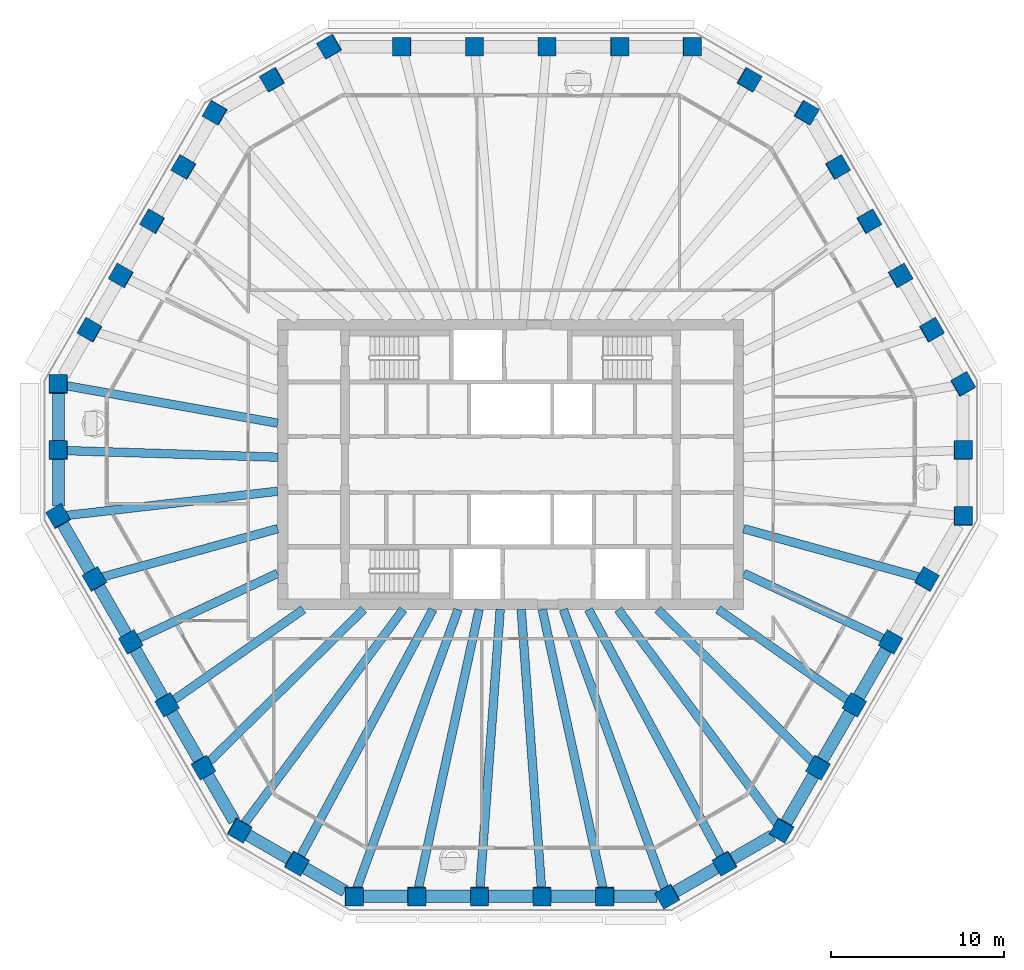
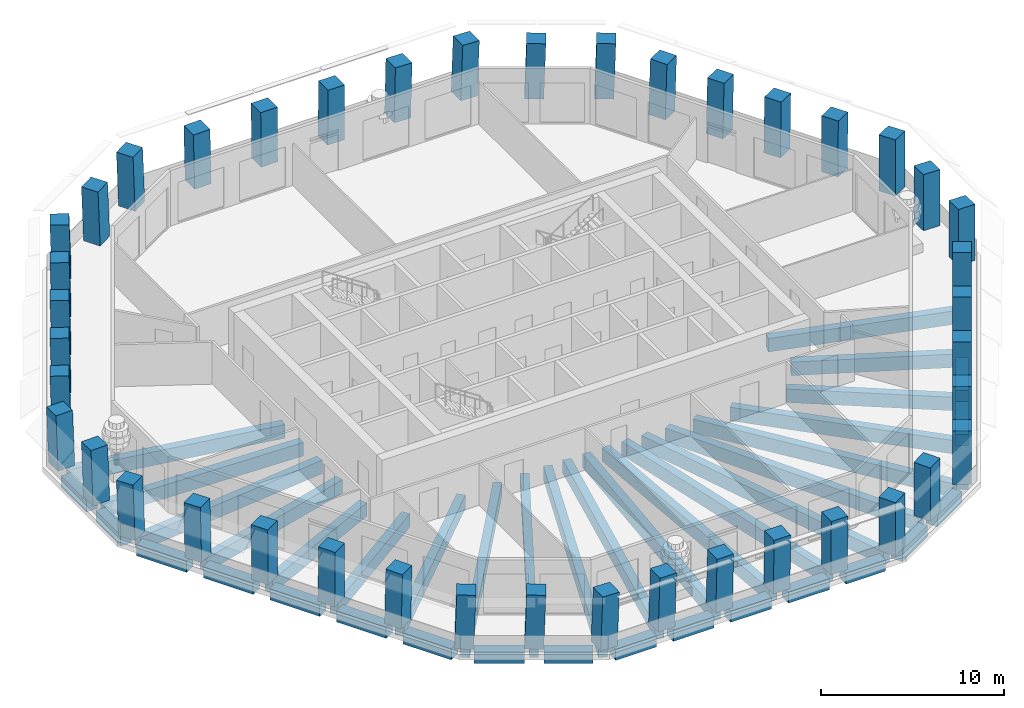
# One storey, part 1 of 12: 42 columns, 40 beams.
"""IFC4 building model written with IfcOpenShell, lengths in metres."""

from ifc_helpers import new_model, si_unit, direction, frame, origin, origin_2d, place, context, subcontext, project, spatial, rectangle, extrude, material, material_profile, profile_set, type_object, element, save


model = new_model("IFC4")

# Units and contexts
model_context = context("Model", 3, precision=1e-05, world=origin(), true_north=direction((0.0, 1.0)))
body_context = subcontext(model_context, "Body", "Model", "MODEL_VIEW")
ifc_project = project(units=[si_unit("LENGTHUNIT", "METRE"), si_unit("AREAUNIT", "SQUARE_METRE"), si_unit("VOLUMEUNIT", "CUBIC_METRE"), si_unit("PLANEANGLEUNIT", "RADIAN"), si_unit("MASSUNIT", "GRAM", prefix="KILO")], contexts=[model_context])

# Site, building, storey
site_placement = place(None, origin())
site = spatial("IfcSite", under=ifc_project, at=site_placement, CompositionType="ELEMENT")
building_placement = place(site_placement, origin())
building = spatial("IfcBuilding", under=site, at=building_placement, Name="Frailejon Research Tower", CompositionType="ELEMENT")
storey_placement = place(building_placement, frame((0.0, 0.0, 237.39990234375)))
storey = spatial("IfcBuildingStorey", under=building, at=storey_placement, Name="L51", CompositionType="ELEMENT", Elevation=237.39990234375)

# Columns
ifc_material_1 = material(Name="Concrete C60/75", Category="concrete")
ifc_material_profile_1 = material_profile(ifc_material_1, rectangle(XDim=1.050048828125, YDim=1.050048828125, at=origin_2d()), Name="Column 1050")
ifc_profile_set_1 = profile_set([ifc_material_profile_1], Name="Concrete C60/75")
column_type = type_object("IfcColumnType", Name="Column 1050", PredefinedType="COLUMN", material=ifc_profile_set_1)
for number, where, z_axis, x_axis, name in (
    (1, (26.2060546875, -3.009521484375, 0.0), (0.018113993821, 0.031348572332, 0.999344360189), (-0.000374711626, 0.999508494025, -0.031346929091), "Column C01"),
    (2, (26.2060546875, 0.817138671875, 0.0), (0.018113955825, 0.03141534774, 0.999342263957), (-0.001297337727, 0.999506151202, -0.031396984318), "Column C02"),
    (3, (26.2060546875, 4.643798828125, 0.0), (0.018113955825, 0.03141534774, 0.999342263957), (-0.501041071009, 0.865233837763, -0.018117702729), "Column C03"),
):
    element("IfcColumn", number, at=place(storey_placement, frame(where, z_axis=z_axis, x_axis=x_axis)), inside=storey, type_object=column_type, Name=name, PredefinedType="COLUMN", context=body_context, shape_type="SweptSolid", body=[
        extrude(rectangle(XDim=1.050048828125, YDim=1.050048828125, at=origin_2d()), origin(), (0.0, 0.0, 1.0), 3.652587890625),
    ])
column_1_placement = place(storey_placement, frame((24.389892578125, 7.789794921875, 0.0), z_axis=(0.021725676399, 0.025134936388, 0.999447962606), x_axis=(-0.500488924466, 0.86567442941, -0.010891223664)))
element("IfcColumn", 4, at=column_1_placement, inside=storey, type_object=column_type, Name="Column C04", PredefinedType="COLUMN", context=body_context, shape_type="SweptSolid", body=[
    extrude(rectangle(XDim=1.050048828125, YDim=1.050048828125, at=origin_2d()), origin(), (0.0, 0.0, 1.0), 3.652099609375),
])
for number, where, z_axis, x_axis, name in (
    (5, (22.573486328125, 10.935546875, 0.0), (0.025403639223, 0.018852174371, 0.999499500068), (-0.500083888167, 0.865969385556, -0.003623268626), "Column C05"),
    (6, (20.75732421875, 14.08154296875, 0.0), (0.029013644583, 0.012568122538, 0.999500000362), (-0.499848973822, 0.866105020579, 0.003618935909), "Column C06"),
):
    element("IfcColumn", number, at=place(storey_placement, frame(where, z_axis=z_axis, x_axis=x_axis)), inside=storey, type_object=column_type, Name=name, PredefinedType="COLUMN", context=body_context, shape_type="SweptSolid", body=[
        extrude(rectangle(XDim=1.050048828125, YDim=1.050048828125, at=origin_2d()), origin(), (0.0, 0.0, 1.0), 3.65185546875),
    ])
column_2_placement = place(storey_placement, frame((18.94091796875, 17.227294921875, 0.0), z_axis=(0.032688717128, 0.006283720675, 0.99944582776), x_axis=(-0.499706662091, 0.866126133194, 0.010898314577)))
element("IfcColumn", 7, at=column_2_placement, inside=storey, type_object=column_type, Name="Column C07", PredefinedType="COLUMN", context=body_context, shape_type="SweptSolid", body=[
    extrude(rectangle(XDim=1.050048828125, YDim=1.050048828125, at=origin_2d()), origin(), (0.0, 0.0, 1.0), 3.652099609375),
])
for number, where, z_axis, x_axis, name in (
    (8, (17.124755859375, 20.373291015625, 0.0), (0.036227958345, 0.0, 0.999343552055), (-0.865314717209, 0.500246354177, 0.031369177763), "Column C08"),
    (9, (13.810791015625, 22.28662109375, 0.0), (0.036227958345, 0.0, 0.999343552055), (-0.865314717209, 0.500246354177, 0.031369177763), "Column C09"),
    (10, (10.49658203125, 24.199951171875, 0.0), (0.036294711627, 0.0, 0.999341129899), (-0.999341129899, 0.0, 0.036294711627), "Column C10"),
):
    element("IfcColumn", number, at=place(storey_placement, frame(where, z_axis=z_axis, x_axis=x_axis)), inside=storey, type_object=column_type, Name=name, PredefinedType="COLUMN", context=body_context, shape_type="SweptSolid", body=[
        extrude(rectangle(XDim=1.050048828125, YDim=1.050048828125, at=origin_2d()), origin(), (0.0, 0.0, 1.0), 3.652587890625),
    ])
column_3_placement = place(storey_placement, frame((6.298095703125, 24.199951171875, 0.0), z_axis=(0.021732542414, 0.0, 0.99976382041), x_axis=(-0.99976382041, 0.0, 0.021732542414)))
element("IfcColumn", 11, at=column_3_placement, inside=storey, type_object=column_type, Name="Column C11", PredefinedType="COLUMN", context=body_context, shape_type="SweptSolid", body=[
    extrude(rectangle(XDim=1.050048828125, YDim=1.050048828125, at=origin_2d()), origin(), (0.0, 0.0, 1.0), 3.651123046875),
])
for number, where, z_axis, x_axis, name in (
    (12, (2.099365234375, 24.199951171875, 0.0), (0.007290288501, 0.0, 0.999973425494), (-0.999973425494, 0.0, 0.007290288501), "Column C12"),
    (13, (-2.099365234375, 24.199951171875, 0.0), (-0.007290288501, 0.0, 0.999973425494), (-0.999973425494, 0.0, -0.007290288501), "Column C13"),
):
    element("IfcColumn", number, at=place(storey_placement, frame(where, z_axis=z_axis, x_axis=x_axis)), inside=storey, type_object=column_type, Name=name, PredefinedType="COLUMN", context=body_context, shape_type="SweptSolid", body=[
        extrude(rectangle(XDim=1.050048828125, YDim=1.050048828125, at=origin_2d()), origin(), (0.0, 0.0, 1.0), 3.650146484375),
    ])
column_4_placement = place(storey_placement, frame((-6.298095703125, 24.199951171875, 0.0), z_axis=(-0.021732542414, 0.0, 0.99976382041), x_axis=(-0.99976382041, 0.0, -0.021732542414)))
element("IfcColumn", 14, at=column_4_placement, inside=storey, type_object=column_type, Name="Column C14", PredefinedType="COLUMN", context=body_context, shape_type="SweptSolid", body=[
    extrude(rectangle(XDim=1.050048828125, YDim=1.050048828125, at=origin_2d()), origin(), (0.0, 0.0, 1.0), 3.651123046875),
])
for number, where, z_axis, x_axis, name in (
    (15, (-10.49658203125, 24.199951171875, 0.0), (-0.036294711627, 0.0, 0.999341129899), (-0.865312619905, -0.500246354177, -0.031426978303), "Column C15"),
    (16, (-13.810791015625, 22.28662109375, 0.0), (-0.036227958345, 0.0, 0.999343552055), (-0.865314717209, -0.500246354177, -0.031369177763), "Column C16"),
    (17, (-17.124755859375, 20.373291015625, 0.0), (-0.036227958345, 0.0, 0.999343552055), (-0.499425543129, -0.866167613071, -0.018105052798), "Column C17"),
):
    element("IfcColumn", number, at=place(storey_placement, frame(where, z_axis=z_axis, x_axis=x_axis)), inside=storey, type_object=column_type, Name=name, PredefinedType="COLUMN", context=body_context, shape_type="SweptSolid", body=[
        extrude(rectangle(XDim=1.050048828125, YDim=1.050048828125, at=origin_2d()), origin(), (0.0, 0.0, 1.0), 3.652587890625),
    ])
column_5_placement = place(storey_placement, frame((-18.94091796875, 17.227294921875, 0.0), z_axis=(-0.032688717128, 0.006283720675, 0.99944582776), x_axis=(-0.499706662091, -0.866126133194, -0.010898314577)))
element("IfcColumn", 18, at=column_5_placement, inside=storey, type_object=column_type, Name="Column C18", PredefinedType="COLUMN", context=body_context, shape_type="SweptSolid", body=[
    extrude(rectangle(XDim=1.050048828125, YDim=1.050048828125, at=origin_2d()), origin(), (0.0, 0.0, 1.0), 3.652099609375),
])
for number, where, z_axis, x_axis, name in (
    (19, (-20.75732421875, 14.08154296875, 0.0), (-0.029013644583, 0.012568122538, 0.999500000362), (-0.499848973822, -0.866105020579, -0.003618935909), "Column C19"),
    (20, (-22.573486328125, 10.935546875, 0.0), (-0.025403639223, 0.018852174371, 0.999499500068), (-0.500083888167, -0.865969385556, 0.003623268626), "Column C20"),
):
    element("IfcColumn", number, at=place(storey_placement, frame(where, z_axis=z_axis, x_axis=x_axis)), inside=storey, type_object=column_type, Name=name, PredefinedType="COLUMN", context=body_context, shape_type="SweptSolid", body=[
        extrude(rectangle(XDim=1.050048828125, YDim=1.050048828125, at=origin_2d()), origin(), (0.0, 0.0, 1.0), 3.65185546875),
    ])
column_6_placement = place(storey_placement, frame((-24.389892578125, 7.789794921875, 0.0), z_axis=(-0.021725676399, 0.025134936388, 0.999447962606), x_axis=(-0.500488924466, -0.86567442941, 0.010891223664)))
element("IfcColumn", 21, at=column_6_placement, inside=storey, type_object=column_type, Name="Column C21", PredefinedType="COLUMN", context=body_context, shape_type="SweptSolid", body=[
    extrude(rectangle(XDim=1.050048828125, YDim=1.050048828125, at=origin_2d()), origin(), (0.0, 0.0, 1.0), 3.652099609375),
])
for number, where, z_axis, x_axis, name in (
    (22, (-26.2060546875, 4.643798828125, 0.0), (-0.018113955825, 0.03141534774, 0.999342263957), (-0.001297337727, -0.999506151202, 0.031396984318), "Column C22"),
    (23, (-26.2060546875, 0.817138671875, 0.0), (-0.018113955825, 0.03141534774, 0.999342263957), (-0.001297337727, -0.999506151202, 0.031396984318), "Column C23"),
    (24, (-26.2060546875, -3.009521484375, 0.0), (-0.018113993821, 0.031348572332, 0.999344360189), (0.499839786235, -0.86536081398, 0.03620565874), "Column C24"),
):
    element("IfcColumn", number, at=place(storey_placement, frame(where, z_axis=z_axis, x_axis=x_axis)), inside=storey, type_object=column_type, Name=name, PredefinedType="COLUMN", context=body_context, shape_type="SweptSolid", body=[
        extrude(rectangle(XDim=1.050048828125, YDim=1.050048828125, at=origin_2d()), origin(), (0.0, 0.0, 1.0), 3.652587890625),
    ])
column_7_placement = place(storey_placement, frame((-24.106689453125, -6.645751953125, 0.0), z_axis=(-0.010899694483, 0.018857140148, 0.999762774325), x_axis=(0.499728940012, -0.865907957958, 0.021780607409)))
element("IfcColumn", 25, at=column_7_placement, inside=storey, type_object=column_type, Name="Column C25", PredefinedType="COLUMN", context=body_context, shape_type="SweptSolid", body=[
    extrude(rectangle(XDim=1.050048828125, YDim=1.050048828125, at=origin_2d()), origin(), (0.0, 0.0, 1.0), 3.651123046875),
])
for number, where, z_axis, x_axis, name in (
    (26, (-22.007568359375, -10.281982421875, 0.0), (-0.003611703602, 0.006287039604, 0.99997371402), (0.497890396548, -0.867209652713, 0.007250604559), "Column C26"),
    (27, (-19.908203125, -13.918212890625, 0.0), (0.003611705113, -0.006220158806, 0.999974132271), (0.499321585349, -0.866386876722, -0.007192652341), "Column C27"),
):
    element("IfcColumn", number, at=place(storey_placement, frame(where, z_axis=z_axis, x_axis=x_axis)), inside=storey, type_object=column_type, Name=name, PredefinedType="COLUMN", context=body_context, shape_type="SweptSolid", body=[
        extrude(rectangle(XDim=1.050048828125, YDim=1.050048828125, at=origin_2d()), origin(), (0.0, 0.0, 1.0), 3.650146484375),
    ])
column_8_placement = place(storey_placement, frame((-17.808837890625, -17.55419921875, 0.0), z_axis=(0.010899694483, -0.018857140148, 0.999762774325), x_axis=(0.500590334681, -0.865410262129, -0.021780611228)))
element("IfcColumn", 28, at=column_8_placement, inside=storey, type_object=column_type, Name="Column C28", PredefinedType="COLUMN", context=body_context, shape_type="SweptSolid", body=[
    extrude(rectangle(XDim=1.050048828125, YDim=1.050048828125, at=origin_2d()), origin(), (0.0, 0.0, 1.0), 3.651123046875),
])
for number, where, z_axis, x_axis, name in (
    (29, (-15.70947265625, -21.1904296875, 0.0), (0.018113955825, -0.03141534774, 0.999342263957), (0.86551973078, -0.499889444942, -0.031402841694), "Column C29"),
    (30, (-12.3955078125, -23.103759765625, 0.0), (0.018113955825, -0.03141534774, 0.999342263957), (0.86551973078, -0.499889444942, -0.031402841694), "Column C30"),
    (31, (-9.081298828125, -25.01708984375, 0.0), (0.018113955825, -0.03141534774, 0.999342263957), (0.999835664746, -0.000157319932, -0.01812784466), "Column C31"),
):
    element("IfcColumn", number, at=place(storey_placement, frame(where, z_axis=z_axis, x_axis=x_axis)), inside=storey, type_object=column_type, Name=name, PredefinedType="COLUMN", context=body_context, shape_type="SweptSolid", body=[
        extrude(rectangle(XDim=1.050048828125, YDim=1.050048828125, at=origin_2d()), origin(), (0.0, 0.0, 1.0), 3.652587890625),
    ])
column_9_placement = place(storey_placement, frame((-5.448974609375, -25.01708984375, 0.0), z_axis=(0.010896250923, -0.031418637632, 0.999446917512), x_axis=(0.999940633121, 0.000298237576, -0.010892258146)))
element("IfcColumn", 32, at=column_9_placement, inside=storey, type_object=column_type, Name="Column C32", PredefinedType="COLUMN", context=body_context, shape_type="SweptSolid", body=[
    extrude(rectangle(XDim=1.050048828125, YDim=1.050048828125, at=origin_2d()), origin(), (0.0, 0.0, 1.0), 3.652099609375),
])
for number, where, z_axis, x_axis, name in (
    (33, (-1.81640625, -25.01708984375, 0.0), (0.003676842511, -0.031420290548, 0.999499497834), (0.999991890057, 0.001758093146, -0.003623386407), "Column C33"),
    (34, (1.81640625, -25.01708984375, 0.0), (-0.003676842511, -0.031420290548, 0.999499497834), (0.999991890057, -0.001758093146, 0.003623386407), "Column C34"),
):
    element("IfcColumn", number, at=place(storey_placement, frame(where, z_axis=z_axis, x_axis=x_axis)), inside=storey, type_object=column_type, Name=name, PredefinedType="COLUMN", context=body_context, shape_type="SweptSolid", body=[
        extrude(rectangle(XDim=1.050048828125, YDim=1.050048828125, at=origin_2d()), origin(), (0.0, 0.0, 1.0), 3.65185546875),
    ])
column_10_placement = place(storey_placement, frame((5.448974609375, -25.01708984375, 0.0), z_axis=(-0.010896250923, -0.031418637632, 0.999446917512), x_axis=(0.999940633121, -0.000298237576, 0.010892258146)))
element("IfcColumn", 35, at=column_10_placement, inside=storey, type_object=column_type, Name="Column C35", PredefinedType="COLUMN", context=body_context, shape_type="SweptSolid", body=[
    extrude(rectangle(XDim=1.050048828125, YDim=1.050048828125, at=origin_2d()), origin(), (0.0, 0.0, 1.0), 3.652099609375),
])
for number, where, z_axis, x_axis, name in (
    (36, (9.081298828125, -25.01708984375, 0.0), (-0.018113955825, -0.03141534774, 0.999342263957), (0.86551973078, 0.499889444942, 0.031402841694), "Column C36"),
    (37, (12.3955078125, -23.103759765625, 0.0), (-0.018113955825, -0.03141534774, 0.999342263957), (0.86551973078, 0.499889444942, 0.031402841694), "Column C37"),
    (38, (15.70947265625, -21.1904296875, 0.0), (-0.018113955825, -0.03141534774, 0.999342263957), (0.499040514287, 0.865819568771, 0.036263472456), "Column C38"),
):
    element("IfcColumn", number, at=place(storey_placement, frame(where, z_axis=z_axis, x_axis=x_axis)), inside=storey, type_object=column_type, Name=name, PredefinedType="COLUMN", context=body_context, shape_type="SweptSolid", body=[
        extrude(rectangle(XDim=1.050048828125, YDim=1.050048828125, at=origin_2d()), origin(), (0.0, 0.0, 1.0), 3.652587890625),
    ])
column_11_placement = place(storey_placement, frame((17.808837890625, -17.55419921875, 0.0), z_axis=(-0.010899694483, -0.018857140148, 0.999762774325), x_axis=(0.500590334681, 0.865410262129, 0.021780611228)))
element("IfcColumn", 39, at=column_11_placement, inside=storey, type_object=column_type, Name="Column C39", PredefinedType="COLUMN", context=body_context, shape_type="SweptSolid", body=[
    extrude(rectangle(XDim=1.050048828125, YDim=1.050048828125, at=origin_2d()), origin(), (0.0, 0.0, 1.0), 3.651123046875),
])
for number, where, z_axis, x_axis, name in (
    (40, (19.908203125, -13.918212890625, 0.0), (-0.003611705113, -0.006220158806, 0.999974132271), (0.499321585349, 0.866386876722, 0.007192652341), "Column C40"),
    (41, (22.007568359375, -10.281982421875, 0.0), (0.003611703602, 0.006287039604, 0.99997371402), (0.497890396548, 0.867209652713, -0.007250604559), "Column C41"),
):
    element("IfcColumn", number, at=place(storey_placement, frame(where, z_axis=z_axis, x_axis=x_axis)), inside=storey, type_object=column_type, Name=name, PredefinedType="COLUMN", context=body_context, shape_type="SweptSolid", body=[
        extrude(rectangle(XDim=1.050048828125, YDim=1.050048828125, at=origin_2d()), origin(), (0.0, 0.0, 1.0), 3.650146484375),
    ])
column_12_placement = place(storey_placement, frame((24.106689453125, -6.645751953125, 0.0), z_axis=(0.010899694483, 0.018857140148, 0.999762774325), x_axis=(0.499728940012, 0.865907957958, -0.021780607409)))
element("IfcColumn", 42, at=column_12_placement, inside=storey, type_object=column_type, Name="Column C42", PredefinedType="COLUMN", context=body_context, shape_type="SweptSolid", body=[
    extrude(rectangle(XDim=1.050048828125, YDim=1.050048828125, at=origin_2d()), origin(), (0.0, 0.0, 1.0), 3.651123046875),
])

# Beams
ifc_material_2 = material(Name="Concrete C60/75", Category="concrete")
ifc_material_profile_2 = material_profile(ifc_material_2, rectangle(XDim=0.5, YDim=0.89990234375, at=origin_2d()), Name="Girder 500x900")
ifc_profile_set_2 = profile_set([ifc_material_profile_2], Name="Concrete C60/75")
beam_type_1 = type_object("IfcBeamType", Name="Girder 500x900", PredefinedType="BEAM", material=ifc_profile_set_2)
beam_1_placement = place(storey_placement, frame((-25.828857421875, 4.576904296875, -0.75), z_axis=(0.984658461497, -0.174492733954, 0.0), x_axis=(0.174492733954, 0.984658461497, 0.0)))
element("IfcBeam", 43, at=beam_1_placement, inside=storey, type_object=beam_type_1, Name="Girder 500x900", PredefinedType="BEAM", context=body_context, shape_type="SweptSolid", body=[
    extrude(rectangle(XDim=0.5, YDim=0.89990234375, at=origin_2d()), origin(), (0.0, 0.0, 1.0), 12.52099609375),
])
beam_2_placement = place(storey_placement, frame((-25.8310546875, 0.805419921875, -0.75), z_axis=(0.999514158969, -0.031168028835, 0.0), x_axis=(0.031168028835, 0.999514158969, 0.0)))
element("IfcBeam", 44, at=beam_2_placement, inside=storey, type_object=beam_type_1, Name="Girder 500x900", PredefinedType="BEAM", context=body_context, shape_type="SweptSolid", body=[
    extrude(rectangle(XDim=0.5, YDim=0.89990234375, at=origin_2d()), origin(), (0.0, 0.0, 1.0), 12.337158203125),
])
beam_3_placement = place(storey_placement, frame((-25.78662109375, -2.96142578125, -0.75), z_axis=(0.993469144143, 0.11410109393, 0.0), x_axis=(-0.11410109393, 0.993469144143, 0.0)))
element("IfcBeam", 45, at=beam_3_placement, inside=storey, type_object=beam_type_1, Name="Girder 500x900", PredefinedType="BEAM", context=body_context, shape_type="SweptSolid", body=[
    extrude(rectangle(XDim=0.5, YDim=0.89990234375, at=origin_2d()), origin(), (0.0, 0.0, 1.0), 12.367431640625),
])
beam_4_placement = place(storey_placement, frame((-23.728515625, -6.54150390625, -0.75), z_axis=(0.964036947187, 0.265768253294, 0.0), x_axis=(-0.265768253294, 0.964036947187, 0.0)))
element("IfcBeam", 46, at=beam_4_placement, inside=storey, type_object=beam_type_1, Name="Girder 500x900", PredefinedType="BEAM", context=body_context, shape_type="SweptSolid", body=[
    extrude(rectangle(XDim=0.5, YDim=0.89990234375, at=origin_2d()), origin(), (0.0, 0.0, 1.0), 10.610107421875),
])
beam_5_placement = place(storey_placement, frame((-21.666015625, -10.122314453125, -0.75), z_axis=(0.905996905086, 0.423284311043, 0.0), x_axis=(-0.423284311043, 0.905996905086, 0.0)))
element("IfcBeam", 47, at=beam_5_placement, inside=storey, type_object=beam_type_1, Name="Girder 500x900", PredefinedType="BEAM", context=body_context, shape_type="SweptSolid", body=[
    extrude(rectangle(XDim=0.5, YDim=0.89990234375, at=origin_2d()), origin(), (0.0, 0.0, 1.0), 9.01318359375),
])
beam_6_placement = place(storey_placement, frame((-19.59912109375, -13.7021484375, -0.75), z_axis=(0.819563961979, 0.572987706871, 0.0), x_axis=(-0.572987706871, 0.819563961979, 0.0)))
element("IfcBeam", 48, at=beam_6_placement, inside=storey, type_object=beam_type_1, Name="Girder 500x900", PredefinedType="BEAM", context=body_context, shape_type="SweptSolid", body=[
    extrude(rectangle(XDim=0.5, YDim=0.89990234375, at=origin_2d()), origin(), (0.0, 0.0, 1.0), 9.253662109375),
])
beam_7_placement = place(storey_placement, frame((-17.529296875, -17.27880859375, -0.75), z_axis=(0.71217476117, 0.702002214778, 0.0), x_axis=(-0.702002214778, 0.71217476117, 0.0)))
element("IfcBeam", 49, at=beam_7_placement, inside=storey, type_object=beam_type_1, Name="Girder 500x900", PredefinedType="BEAM", context=body_context, shape_type="SweptSolid", body=[
    extrude(rectangle(XDim=0.5, YDim=0.89990234375, at=origin_2d()), origin(), (0.0, 0.0, 1.0), 12.64794921875),
])
beam_8_placement = place(storey_placement, frame((-15.484130859375, -20.886474609375, -0.75), z_axis=(0.595540028325, 0.803325634262, 0.0), x_axis=(-0.803325634262, 0.595540028325, 0.0)))
element("IfcBeam", 50, at=beam_8_placement, inside=storey, type_object=beam_type_1, Name="Girder 500x900", PredefinedType="BEAM", context=body_context, shape_type="SweptSolid", body=[
    extrude(rectangle(XDim=0.5, YDim=0.89990234375, at=origin_2d()), origin(), (0.0, 0.0, 1.0), 15.543701171875),
])
beam_9_placement = place(storey_placement, frame((-12.218017578125, -22.77294921875, -0.75), z_axis=(0.472772918335, 0.881184298367, 0.0), x_axis=(-0.881184298367, 0.472772918335, 0.0)))
element("IfcBeam", 51, at=beam_9_placement, inside=storey, type_object=beam_type_1, Name="Girder 500x900", PredefinedType="BEAM", context=body_context, shape_type="SweptSolid", body=[
    extrude(rectangle(XDim=0.5, YDim=0.89990234375, at=origin_2d()), origin(), (0.0, 0.0, 1.0), 16.31103515625),
])
beam_10_placement = place(storey_placement, frame((-8.94189453125, -24.633056640625, -0.75), z_axis=(0.341211785702, 0.939986445274, 0.0), x_axis=(-0.939986445274, 0.341211785702, 0.0)))
element("IfcBeam", 52, at=beam_10_placement, inside=storey, type_object=beam_type_1, Name="Girder 500x900", PredefinedType="BEAM", context=body_context, shape_type="SweptSolid", body=[
    extrude(rectangle(XDim=0.5, YDim=0.89990234375, at=origin_2d()), origin(), (0.0, 0.0, 1.0), 17.26953125),
])
beam_11_placement = place(storey_placement, frame((-5.366455078125, -24.638671875, -0.75), z_axis=(0.212814458904, 0.977092629223, 0.0), x_axis=(-0.977092629223, 0.212814458904, 0.0)))
element("IfcBeam", 53, at=beam_11_placement, inside=storey, type_object=beam_type_1, Name="Girder 500x900", PredefinedType="BEAM", context=body_context, shape_type="SweptSolid", body=[
    extrude(rectangle(XDim=0.5, YDim=0.89990234375, at=origin_2d()), origin(), (0.0, 0.0, 1.0), 16.619384765625),
])
for number, where, z_axis, x_axis, name in (
    (54, (-1.7890625, -24.6416015625, -0.75), (0.072412592099, 0.997374762316, 0.0), (-0.997374762316, 0.072412592099, 0.0), "Girder 500x900"),
    (55, (1.7890625, -24.6416015625, -0.75), (-0.072412592099, 0.997374762316, 0.0), (-0.997374762316, -0.072412592099, 0.0), "Girder 500x900"),
):
    element("IfcBeam", number, at=place(storey_placement, frame(where, z_axis=z_axis, x_axis=x_axis)), inside=storey, type_object=beam_type_1, Name=name, PredefinedType="BEAM", context=body_context, shape_type="SweptSolid", body=[
        extrude(rectangle(XDim=0.5, YDim=0.89990234375, at=origin_2d()), origin(), (0.0, 0.0, 1.0), 16.284423828125),
    ])
beam_12_placement = place(storey_placement, frame((5.366455078125, -24.638671875, -0.75), z_axis=(-0.212814458904, 0.977092629223, 0.0), x_axis=(-0.977092629223, -0.212814458904, 0.0)))
element("IfcBeam", 56, at=beam_12_placement, inside=storey, type_object=beam_type_1, Name="Girder 500x900", PredefinedType="BEAM", context=body_context, shape_type="SweptSolid", body=[
    extrude(rectangle(XDim=0.5, YDim=0.89990234375, at=origin_2d()), origin(), (0.0, 0.0, 1.0), 16.619384765625),
])
beam_13_placement = place(storey_placement, frame((8.95068359375, -24.656982421875, -0.75), z_axis=(-0.341217103361, 0.939984514965, 0.0), x_axis=(-0.939984514965, -0.341217103361, 0.0)))
element("IfcBeam", 57, at=beam_13_placement, inside=storey, type_object=beam_type_1, Name="Girder 500x900", PredefinedType="BEAM", context=body_context, shape_type="SweptSolid", body=[
    extrude(rectangle(XDim=0.5, YDim=0.89990234375, at=origin_2d()), origin(), (0.0, 0.0, 1.0), 17.295166015625),
])
beam_14_placement = place(storey_placement, frame((12.218017578125, -22.77294921875, -0.75), z_axis=(-0.472772918335, 0.881184298367, 0.0), x_axis=(-0.881184298367, -0.472772918335, 0.0)))
element("IfcBeam", 58, at=beam_14_placement, inside=storey, type_object=beam_type_1, Name="Girder 500x900", PredefinedType="BEAM", context=body_context, shape_type="SweptSolid", body=[
    extrude(rectangle(XDim=0.5, YDim=0.89990234375, at=origin_2d()), origin(), (0.0, 0.0, 1.0), 16.31103515625),
])
beam_15_placement = place(storey_placement, frame((15.4580078125, -20.851318359375, -0.75), z_axis=(-0.595537521962, 0.803327492332, 0.0), x_axis=(-0.803327492332, -0.595537521962, 0.0)))
element("IfcBeam", 59, at=beam_15_placement, inside=storey, type_object=beam_type_1, Name="Girder 500x900", PredefinedType="BEAM", context=body_context, shape_type="SweptSolid", body=[
    extrude(rectangle(XDim=0.5, YDim=0.89990234375, at=origin_2d()), origin(), (0.0, 0.0, 1.0), 15.499755859375),
])
beam_16_placement = place(storey_placement, frame((17.529296875, -17.27880859375, -0.75), z_axis=(-0.71217476117, 0.702002214778, 0.0), x_axis=(-0.702002214778, -0.71217476117, 0.0)))
element("IfcBeam", 60, at=beam_16_placement, inside=storey, type_object=beam_type_1, Name="Girder 500x900", PredefinedType="BEAM", context=body_context, shape_type="SweptSolid", body=[
    extrude(rectangle(XDim=0.5, YDim=0.89990234375, at=origin_2d()), origin(), (0.0, 0.0, 1.0), 12.64794921875),
])
beam_17_placement = place(storey_placement, frame((19.59912109375, -13.7021484375, -0.75), z_axis=(-0.819563961979, 0.572987706871, 0.0), x_axis=(-0.572987706871, -0.819563961979, 0.0)))
element("IfcBeam", 61, at=beam_17_placement, inside=storey, type_object=beam_type_1, Name="Girder 500x900", PredefinedType="BEAM", context=body_context, shape_type="SweptSolid", body=[
    extrude(rectangle(XDim=0.5, YDim=0.89990234375, at=origin_2d()), origin(), (0.0, 0.0, 1.0), 9.253662109375),
])
beam_18_placement = place(storey_placement, frame((21.666015625, -10.122314453125, -0.75), z_axis=(-0.905996905086, 0.423284311043, 0.0), x_axis=(-0.423284311043, -0.905996905086, 0.0)))
element("IfcBeam", 62, at=beam_18_placement, inside=storey, type_object=beam_type_1, Name="Girder 500x900", PredefinedType="BEAM", context=body_context, shape_type="SweptSolid", body=[
    extrude(rectangle(XDim=0.5, YDim=0.89990234375, at=origin_2d()), origin(), (0.0, 0.0, 1.0), 9.01318359375),
])
beam_19_placement = place(storey_placement, frame((23.728515625, -6.54150390625, -0.75), z_axis=(-0.964036947187, 0.265768253294, 0.0), x_axis=(-0.265768253294, -0.964036947187, 0.0)))
element("IfcBeam", 63, at=beam_19_placement, inside=storey, type_object=beam_type_1, Name="Girder 500x900", PredefinedType="BEAM", context=body_context, shape_type="SweptSolid", body=[
    extrude(rectangle(XDim=0.5, YDim=0.89990234375, at=origin_2d()), origin(), (0.0, 0.0, 1.0), 10.610107421875),
])
ifc_material_3 = material(Name="Concrete C60/75", Category="concrete")
ifc_material_profile_3 = material_profile(ifc_material_3, rectangle(XDim=0.699951171875, YDim=0.75, at=origin_2d()), Name="Spandrel 700x750")
ifc_profile_set_3 = profile_set([ifc_material_profile_3], Name="Concrete C60/75")
beam_type_2 = type_object("IfcBeamType", Name="Spandrel 700x750", PredefinedType="BEAM", material=ifc_profile_set_3)
beam_20_placement = place(storey_placement, frame((-26.2060546875, 4.118896484375, -0.724853515625), z_axis=(0.0, -1.0, 0.0), x_axis=(1.0, 0.0, 0.0)))
element("IfcBeam", 64, at=beam_20_placement, inside=storey, type_object=beam_type_2, Name="Spandrel 700x750", PredefinedType="BEAM", context=body_context, shape_type="SweptSolid", body=[
    extrude(rectangle(XDim=0.699951171875, YDim=0.75, at=origin_2d()), origin(), (0.0, 0.0, 1.0), 2.77685546875),
])
beam_21_placement = place(storey_placement, frame((-26.2060546875, 0.2919921875, -0.724853515625), z_axis=(0.0, -1.0, 0.0), x_axis=(1.0, 0.0, 0.0)))
element("IfcBeam", 65, at=beam_21_placement, inside=storey, type_object=beam_type_2, Name="Spandrel 700x750", PredefinedType="BEAM", context=body_context, shape_type="SweptSolid", body=[
    extrude(rectangle(XDim=0.699951171875, YDim=0.75, at=origin_2d()), origin(), (0.0, 0.0, 1.0), 2.6953125),
])
beam_22_placement = place(storey_placement, frame((-25.943603515625, -3.46435546875, -0.724853515625), z_axis=(0.499975274946, -0.86603967833, 0.0), x_axis=(0.86603967833, 0.499975274946, 0.0)))
element("IfcBeam", 66, at=beam_22_placement, inside=storey, type_object=beam_type_2, Name="Spandrel 700x750", PredefinedType="BEAM", context=body_context, shape_type="SweptSolid", body=[
    extrude(rectangle(XDim=0.699951171875, YDim=0.75, at=origin_2d()), origin(), (0.0, 0.0, 1.0), 3.148681640625),
])
beam_23_placement = place(storey_placement, frame((-23.84423828125, -7.1005859375, -0.724853515625), z_axis=(0.500008851346, -0.866020293397, 0.0), x_axis=(0.866020293397, 0.500008851346, 0.0)))
element("IfcBeam", 67, at=beam_23_placement, inside=storey, type_object=beam_type_2, Name="Spandrel 700x750", PredefinedType="BEAM", context=body_context, shape_type="SweptSolid", body=[
    extrude(rectangle(XDim=0.699951171875, YDim=0.75, at=origin_2d()), origin(), (0.0, 0.0, 1.0), 3.1484375),
])
for number, where, z_axis, x_axis, name in (
    (68, (-21.7451171875, -10.736572265625, -0.724853515625), (0.500033428174, -0.866006103159, 0.0), (0.866006103159, 0.500033428174, 0.0), "Spandrel 700x750"),
    (69, (-19.645751953125, -14.372802734375, -0.724853515625), (0.500033428174, -0.866006103159, 0.0), (0.866006103159, 0.500033428174, 0.0), "Spandrel 700x750"),
):
    element("IfcBeam", number, at=place(storey_placement, frame(where, z_axis=z_axis, x_axis=x_axis)), inside=storey, type_object=beam_type_2, Name=name, PredefinedType="BEAM", context=body_context, shape_type="SweptSolid", body=[
        extrude(rectangle(XDim=0.699951171875, YDim=0.75, at=origin_2d()), origin(), (0.0, 0.0, 1.0), 3.148681640625),
    ])
beam_24_placement = place(storey_placement, frame((-17.54638671875, -18.0087890625, -0.724853515625), z_axis=(0.499991148707, -0.866030514021, 0.0), x_axis=(0.866030514021, 0.499991148707, 0.0)))
element("IfcBeam", 70, at=beam_24_placement, inside=storey, type_object=beam_type_2, Name="Spandrel 700x750", PredefinedType="BEAM", context=body_context, shape_type="SweptSolid", body=[
    extrude(rectangle(XDim=0.699951171875, YDim=0.75, at=origin_2d()), origin(), (0.0, 0.0, 1.0), 3.0673828125),
])
beam_25_placement = place(storey_placement, frame((-15.2548828125, -21.452880859375, -0.724853515625), z_axis=(0.866021602438, -0.500006584067, 0.0), x_axis=(0.500006584067, 0.866021602438, 0.0)))
element("IfcBeam", 71, at=beam_25_placement, inside=storey, type_object=beam_type_2, Name="Spandrel 700x750", PredefinedType="BEAM", context=body_context, shape_type="SweptSolid", body=[
    extrude(rectangle(XDim=0.699951171875, YDim=0.75, at=origin_2d()), origin(), (0.0, 0.0, 1.0), 2.77685546875),
])
beam_26_placement = place(storey_placement, frame((-11.94091796875, -23.3662109375, -0.724853515625), z_axis=(0.866010629317, -0.500025589255, 0.0), x_axis=(0.500025589255, 0.866010629317, 0.0)))
element("IfcBeam", 72, at=beam_26_placement, inside=storey, type_object=beam_type_2, Name="Spandrel 700x750", PredefinedType="BEAM", context=body_context, shape_type="SweptSolid", body=[
    extrude(rectangle(XDim=0.699951171875, YDim=0.75, at=origin_2d()), origin(), (0.0, 0.0, 1.0), 2.695556640625),
])
for number, where, z_axis, x_axis, name in (
    (73, (-8.556396484375, -25.01708984375, -0.724853515625), (1.0, 0.0, 0.0), (0.0, 1.0, 0.0), "Spandrel 700x750"),
    (74, (-4.923828125, -25.01708984375, -0.724853515625), (1.0, 0.0, 0.0), (0.0, 1.0, 0.0), "Spandrel 700x750"),
    (75, (-1.291259765625, -25.01708984375, -0.724853515625), (1.0, 0.0, 0.0), (0.0, 1.0, 0.0), "Spandrel 700x750"),
    (76, (2.34130859375, -25.01708984375, -0.724853515625), (1.0, 0.0, 0.0), (0.0, 1.0, 0.0), "Spandrel 700x750"),
):
    element("IfcBeam", number, at=place(storey_placement, frame(where, z_axis=z_axis, x_axis=x_axis)), inside=storey, type_object=beam_type_2, Name=name, PredefinedType="BEAM", context=body_context, shape_type="SweptSolid", body=[
        extrude(rectangle(XDim=0.699951171875, YDim=0.75, at=origin_2d()), origin(), (0.0, 0.0, 1.0), 2.58251953125),
    ])
beam_27_placement = place(storey_placement, frame((5.973876953125, -25.01708984375, -0.724853515625), z_axis=(1.0, 0.0, 0.0), x_axis=(0.0, 1.0, 0.0)))
element("IfcBeam", 77, at=beam_27_placement, inside=storey, type_object=beam_type_2, Name="Spandrel 700x750", PredefinedType="BEAM", context=body_context, shape_type="SweptSolid", body=[
    extrude(rectangle(XDim=0.699951171875, YDim=0.75, at=origin_2d()), origin(), (0.0, 0.0, 1.0), 2.501220703125),
])
beam_28_placement = place(storey_placement, frame((9.5361328125, -24.754638671875, -0.724853515625), z_axis=(0.866021602438, 0.500006584067, 0.0), x_axis=(-0.500006584067, 0.866021602438, 0.0)))
element("IfcBeam", 78, at=beam_28_placement, inside=storey, type_object=beam_type_2, Name="Spandrel 700x750", PredefinedType="BEAM", context=body_context, shape_type="SweptSolid", body=[
    extrude(rectangle(XDim=0.699951171875, YDim=0.75, at=origin_2d()), origin(), (0.0, 0.0, 1.0), 2.77685546875),
])
beam_29_placement = place(storey_placement, frame((12.85009765625, -22.84130859375, -0.724853515625), z_axis=(0.866010629317, 0.500025589255, 0.0), x_axis=(-0.500025589255, 0.866010629317, 0.0)))
element("IfcBeam", 79, at=beam_29_placement, inside=storey, type_object=beam_type_2, Name="Spandrel 700x750", PredefinedType="BEAM", context=body_context, shape_type="SweptSolid", body=[
    extrude(rectangle(XDim=0.699951171875, YDim=0.75, at=origin_2d()), origin(), (0.0, 0.0, 1.0), 2.695556640625),
])
for number, where, z_axis, x_axis, name in (
    (80, (15.971923828125, -20.735595703125, -0.724853515625), (0.500033428174, 0.866006103159, 0.0), (-0.866006103159, 0.500033428174, 0.0), "Spandrel 700x750"),
    (81, (18.0712890625, -17.099609375, -0.724853515625), (0.500033428174, 0.866006103159, 0.0), (-0.866006103159, 0.500033428174, 0.0), "Spandrel 700x750"),
    (82, (20.170654296875, -13.46337890625, -0.724853515625), (0.500033428174, 0.866006103159, 0.0), (-0.866006103159, 0.500033428174, 0.0), "Spandrel 700x750"),
):
    element("IfcBeam", number, at=place(storey_placement, frame(where, z_axis=z_axis, x_axis=x_axis)), inside=storey, type_object=beam_type_2, Name=name, PredefinedType="BEAM", context=body_context, shape_type="SweptSolid", body=[
        extrude(rectangle(XDim=0.699951171875, YDim=0.75, at=origin_2d()), origin(), (0.0, 0.0, 1.0), 3.148681640625),
    ])

save(model, "model.ifc")
